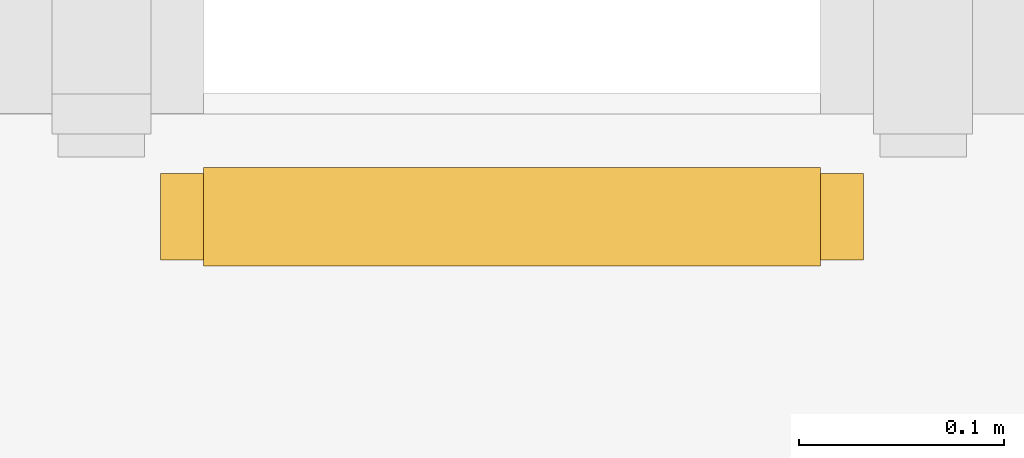
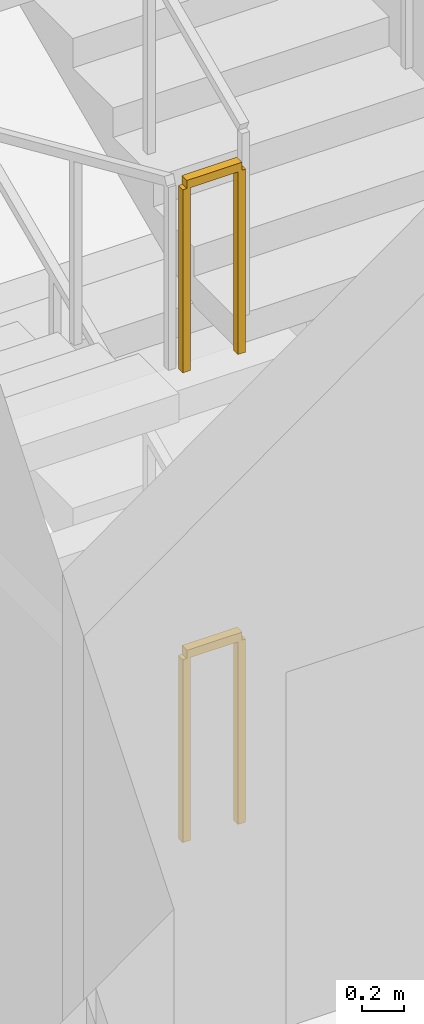
# One storey, part 13 of 17: 2 railings.
"""IFC4 building model written with IfcOpenShell, lengths in metres."""

from ifc_helpers import new_model, si_unit, direction, frame, origin, origin_2d, place, context, subcontext, project, spatial, rectangle, extrude, material, type_object, element, save


model = new_model("IFC4")

# Units and contexts
model_context = context("Model", 3, precision=1e-05, world=origin(), true_north=direction((0.0, 1.0)))
body_context = subcontext(model_context, "Body", "Model", "MODEL_VIEW")
ifc_project = project(units=[si_unit("LENGTHUNIT", "METRE"), si_unit("AREAUNIT", "SQUARE_METRE"), si_unit("VOLUMEUNIT", "CUBIC_METRE"), si_unit("PLANEANGLEUNIT", "RADIAN"), si_unit("MASSUNIT", "GRAM", prefix="KILO")], contexts=[model_context])

# Site, building, storey
site_placement = place(None, origin())
site = spatial("IfcSite", under=ifc_project, at=site_placement, CompositionType="ELEMENT")
building_placement = place(site_placement, origin())
building = spatial("IfcBuilding", under=site, at=building_placement, Name="Rattan Terrace Tower", CompositionType="ELEMENT")
storey_placement = place(building_placement, frame((0.0, 0.0, 163.10009765625)))
storey = spatial("IfcBuildingStorey", under=building, at=storey_placement, Name="L37", CompositionType="ELEMENT", Elevation=163.10009765625)

# Railings
ifc_material = material(Name="Powder-coated steel guard", Category="steel")
railing_type = type_object("IfcRailingType", Name="Core stair guard", PredefinedType="GUARDRAIL", material=ifc_material)
for number, where, name in (
    (1, (-15.300048828125, 1.64990234375, 2.699951171875), "L37 S1 stair guard 4"),
    (2, (-15.300048828125, 1.64990234375, 0.0), "L37 S1 stair guard 8"),
):
    element("IfcRailing", number, at=place(storey_placement, frame(where)), inside=storey, type_object=railing_type, Name=name, PredefinedType="GUARDRAIL", context=body_context, shape_type="SweptSolid", body=[
        extrude(rectangle(XDim=0.048095703125, YDim=0.048095703125, at=origin_2d()), frame((0.0, 0.0, 1.076171875), z_axis=(-1.0, 0.0, 0.0), x_axis=(0.0, -1.0, 0.0)), (0.0, 0.0, 1.0), 0.300048828125),
        extrude(rectangle(XDim=0.0419921875, YDim=0.0419921875, at=origin_2d()), origin(), (0.0, 0.0, 1.0), 1.052001953125),
        extrude(rectangle(XDim=0.0419921875, YDim=0.0419921875, at=origin_2d()), frame((-0.300048828125, 0.0, 0.0)), (0.0, 0.0, 1.0), 1.052001953125),
    ])

save(model, "model.ifc")
